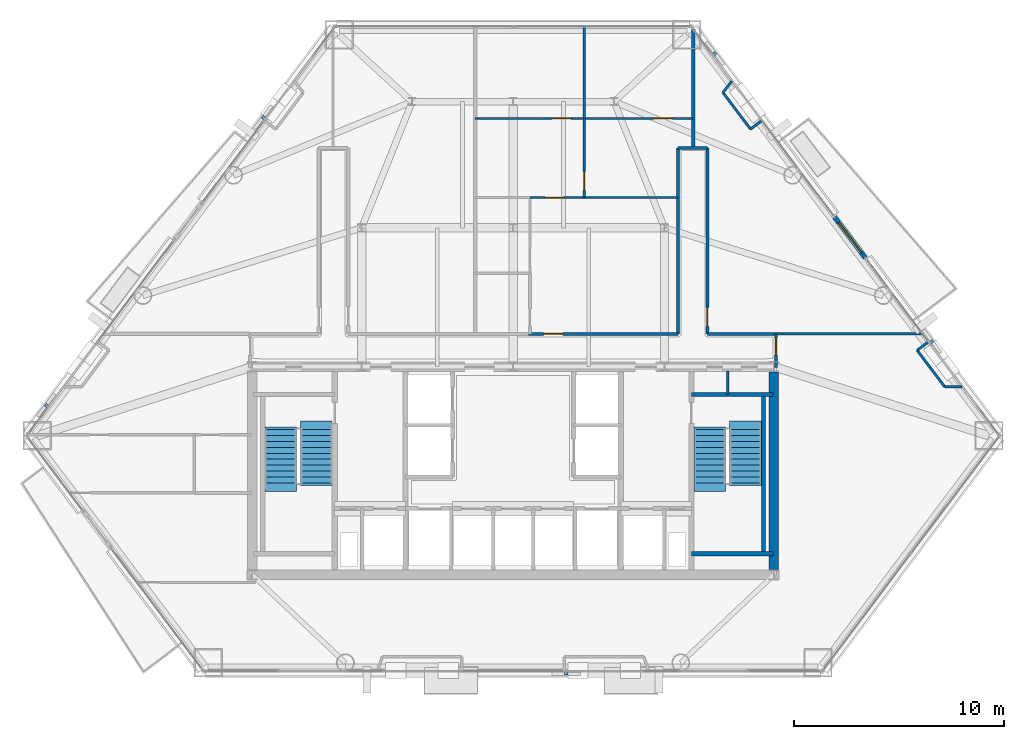
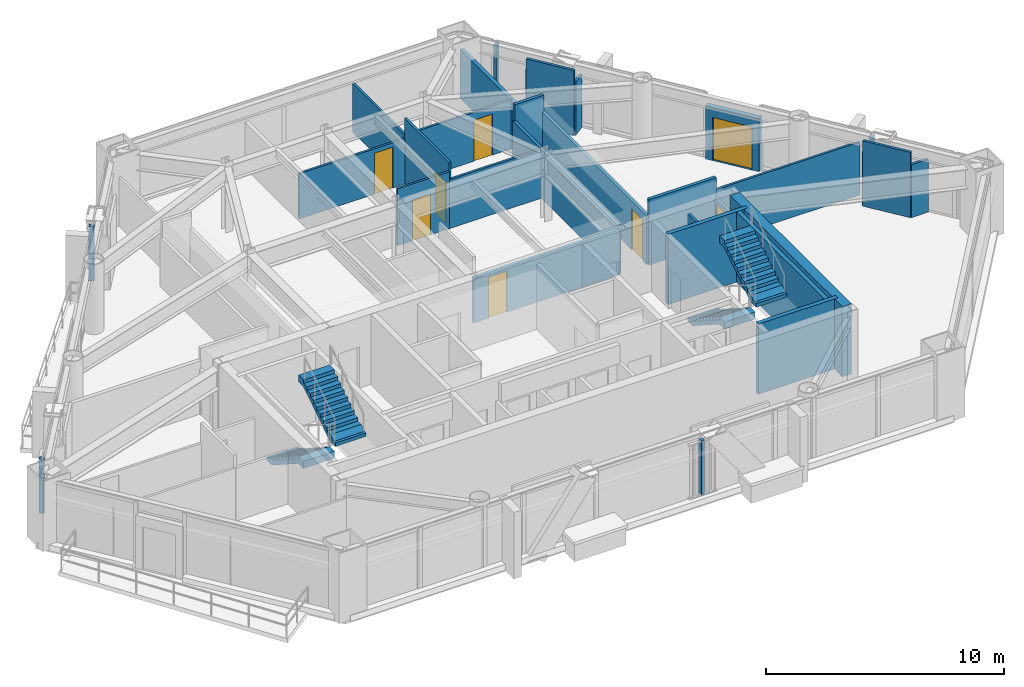
# One storey, part 8 of 10: 26 walls, 8 doors, 5 discrete accessories, 4 stair flights, 8 openings, 2 elements without a shape of their own.
"""IFC4 building model written with IfcOpenShell, lengths in metres."""

from ifc_helpers import new_model, si_unit, direction, frame, frame_2d, origin, origin_2d, place, context, subcontext, project, spatial, polyline, rectangle, outline, extrude, source, transform, mapped, material, layer, layer_set, type_object, type_shapes, element, fill, aggregate, save


model = new_model("IFC4")

# Units and contexts
model_context = context("Model", 3, precision=1e-05, world=origin(), true_north=direction((0.0, 1.0)))
body_context = subcontext(model_context, "Body", "Model", "MODEL_VIEW")
ifc_project = project(units=[si_unit("LENGTHUNIT", "METRE"), si_unit("AREAUNIT", "SQUARE_METRE"), si_unit("VOLUMEUNIT", "CUBIC_METRE"), si_unit("PLANEANGLEUNIT", "RADIAN"), si_unit("MASSUNIT", "GRAM", prefix="KILO")], contexts=[model_context])

# Site, building, storey
site_placement = place(None, origin())
site = spatial("IfcSite", under=ifc_project, at=site_placement, CompositionType="ELEMENT")
building_placement = place(site_placement, origin())
building = spatial("IfcBuilding", under=site, at=building_placement, Name="Talgorran Terracotta Tower", CompositionType="ELEMENT")
storey_placement = place(building_placement, frame((0.0, 0.0, 31.5)))
storey = spatial("IfcBuildingStorey", under=building, at=storey_placement, Name="L07", CompositionType="ELEMENT", Elevation=31.5)

# Wall, opening, door
ifc_material_1 = material(Name="Concrete C40/50", Category="concrete")
ifc_layer_1 = layer(ifc_material_1, 0.239990234375, Name="WT_BALCONY_SPAND")
ifc_layer_set_1 = layer_set([ifc_layer_1], Name="Concrete C40/50")
wall_type_1 = type_object("IfcWallType", Name="WT_BALCONY_SPAND", PredefinedType="STANDARD", material=ifc_layer_set_1)
wall_1_placement = place(storey_placement, frame((16.753173828125, 0.968505859375, -0.014892578125), z_axis=(0.0, 0.0, 1.0), x_axis=(-0.601871511513, 0.798592939882, 0.0)))
wall_1 = element("IfcWall", 1, at=wall_1_placement, inside=storey, type_object=wall_type_1, Name="WL-L07-BALP-BAL-NE", PredefinedType="STANDARD", context=body_context, shape_type="SweptSolid", body=[
    extrude(rectangle(XDim=2.43994140625, YDim=0.239990234375, at=frame_2d((1.219970703125, 0.0))), origin(), (0.0, 0.0, 1.0), 2.728271484375),
])
opening_1_placement = place(wall_1_placement, frame((0.320068359375, 0.0, 0.014892578125)))
opening_1 = element("IfcOpeningElement", 2, at=opening_1_placement, cuts=wall_1, Name="Opening D-BAL-L07-1", PredefinedType="OPENING", context=body_context, shape_type="SweptSolid", body=[
    extrude(rectangle(XDim=1.806048828125, YDim=2.203951171875, at=frame_2d((0.89990234375, 1.10205078125))), frame((0.0, 0.1298828125, 0.0), z_axis=(0.0, -1.0, 0.0), x_axis=(1.0, 0.0, 0.0)), (0.0, 0.0, 1.0), 0.260009765625),
])
ifc_material_2 = material(Name="Thermally Broken Aluminium", Category="aluminium")
door_type_1 = type_object("IfcDoorType", Name="DT_BALC_1800", OperationType="SLIDING_TO_LEFT", PredefinedType="DOOR", material=ifc_material_2)
door_1_placement = place(opening_1_placement, origin())
door_1 = element("IfcDoor", 3, at=door_1_placement, inside=storey, type_object=door_type_1, Name="DR-L07-BAL-BAL-NE", OperationType="SLIDING_TO_LEFT", OverallHeight=2.199951171875, OverallWidth=1.800048828125, PredefinedType="DOOR", context=body_context, shape_type="SweptSolid", body=[
    extrude(rectangle(XDim=1.800048828125, YDim=2.199951171875, at=frame_2d((0.89990234375, 1.10009765625))), frame((0.0, 0.02490234375, 0.0), z_axis=(0.0, -1.0, 0.0), x_axis=(1.0, 0.0, 0.0)), (0.0, 0.0, 1.0), 0.050048828125),
])
fill(opening_1, door_1)

# Walls
ifc_material_3 = material(Name="Concrete C50/60", Category="concrete")
ifc_layer_2 = layer(ifc_material_3, 0.199951171875, Name="WT_CORE_200")
ifc_layer_set_2 = layer_set([ifc_layer_2], Name="Concrete C50/60")
wall_type_2 = type_object("IfcWallType", Name="WT_CORE_200", PredefinedType="SOLIDWALL", material=ifc_layer_set_2)
for number, where, z_axis, x_axis, name in (
    (4, (8.47998046875, -5.52001953125, 0.0), (0.0, 0.0, 1.0), (1.0, 0.0, 0.0), "WL-L07-CW-ST2-N"),
    (5, (8.47998046875, -13.10009765625, 0.0), (0.0, 0.0, 1.0), (1.0, 0.0, 0.0), "WL-L07-CW-ST2-S"),
):
    element("IfcWall", number, at=place(storey_placement, frame(where, z_axis=z_axis, x_axis=x_axis)), inside=storey, type_object=wall_type_2, Name=name, PredefinedType="SOLIDWALL", context=body_context, shape_type="SweptSolid", body=[
        extrude(rectangle(XDim=3.8701171875, YDim=0.199951171875, at=frame_2d((1.93505859375, 0.0))), origin(), (0.0, 0.0, 1.0), 3.60009765625),
    ])
wall_2_placement = place(storey_placement, frame((11.89990234375, -13.10009765625, 0.0), z_axis=(0.0, 0.0, 1.0), x_axis=(0.0, 1.0, 0.0)))
element("IfcWall", 6, at=wall_2_placement, inside=storey, type_object=wall_type_2, Name="WL-L07-CW-ST2-E", PredefinedType="SOLIDWALL", context=body_context, shape_type="SweptSolid", body=[
    extrude(rectangle(XDim=7.580078125, YDim=0.199951171875, at=frame_2d((3.7900390625, 0.0))), origin(), (0.0, 0.0, 1.0), 3.60009765625),
])
ifc_material_4 = material(Name="Concrete C65/80", Category="concrete")
ifc_layer_3 = layer(ifc_material_4, 0.449951171875, Name="WT_CORE_EXT")
ifc_layer_set_3 = layer_set([ifc_layer_3], Name="Concrete C65/80")
wall_type_3 = type_object("IfcWallType", Name="WT_CORE_EXT", PredefinedType="SHEAR", material=ifc_layer_set_3)
wall_3_placement = place(storey_placement, frame((12.39990234375, -13.85009765625, 0.0), z_axis=(0.0, 0.0, 1.0), x_axis=(0.0, 1.0, 0.0)))
element("IfcWall", 7, at=wall_3_placement, inside=storey, type_object=wall_type_3, Name="WL-L07-CW-OUT-E", PredefinedType="SHEAR", context=body_context, shape_type="SweptSolid", body=[
    extrude(rectangle(XDim=9.400146484375, YDim=0.449951171875, at=frame_2d((4.7001953125, 0.0))), origin(), (0.0, 0.0, 1.0), 3.60009765625),
])

# Wall, opening, door
ifc_material_5 = material(Name="Fire-Rated Steel Stud Plasterboard", Category="steel")
ifc_layer_4 = layer(ifc_material_5, 0.14990234375, Name="WT_FIRE_150")
ifc_layer_set_4 = layer_set([ifc_layer_4], Name="Fire-Rated Steel Stud Plasterboard")
wall_type_4 = type_object("IfcWallType", Name="WT_FIRE_150", PredefinedType="PARTITIONING", material=ifc_layer_set_4)
wall_4_placement = place(storey_placement, frame((9.239990234375, -2.639892578125, 0.0), z_axis=(0.0, 0.0, 1.0), x_axis=(0.0, 1.0, 0.0)))
wall_4 = element("IfcWall", 8, at=wall_4_placement, inside=storey, type_object=wall_type_4, Name="WL-L07-W-L07-R15", PredefinedType="PARTITIONING", context=body_context, shape_type="SweptSolid", body=[
    extrude(rectangle(XDim=8.83984375, YDim=0.14990234375, at=frame_2d((4.419921875, 0.0))), origin(), (0.0, 0.0, 1.0), 2.509033203125),
])
opening_2_placement = place(wall_4_placement, frame((0.359375, 0.0, 0.0)))
opening_2 = element("IfcOpeningElement", 9, at=opening_2_placement, cuts=wall_4, Name="Opening DR-L07-R15", PredefinedType="OPENING", context=body_context, shape_type="SweptSolid", body=[
    extrude(rectangle(XDim=0.90590234375, YDim=2.10409765625, at=frame_2d((0.449951171875, 1.052001953125))), frame((0.0, 0.0849609375, 0.0), z_axis=(0.0, -1.0, 0.0), x_axis=(1.0, 0.0, 0.0)), (0.0, 0.0, 1.0), 0.169921875),
])
ifc_material_6 = material(Name="Fire-Rated Timber Core", Category="wood")
door_type_2 = type_object("IfcDoorType", Name="DT_FIRE_900", OperationType="NOTDEFINED", PredefinedType="DOOR", material=ifc_material_6)
door_2_placement = place(opening_2_placement, origin())
door_2 = element("IfcDoor", 10, at=door_2_placement, inside=storey, type_object=door_type_2, Name="DR-L07-R15", OperationType="SINGLE_SWING_LEFT", OverallHeight=2.10009765625, OverallWidth=0.89990234375, PredefinedType="DOOR", context=body_context, shape_type="SweptSolid", body=[
    extrude(rectangle(XDim=0.89990234375, YDim=2.10009765625, at=frame_2d((0.449951171875, 1.050048828125))), frame((0.0, 0.02490234375, 0.0), z_axis=(0.0, -1.0, 0.0), x_axis=(1.0, 0.0, 0.0)), (0.0, 0.0, 1.0), 0.050048828125),
])
fill(opening_2, door_2)

wall_5_placement = place(storey_placement, frame((0.739990234375, -2.639892578125, 0.0), z_axis=(0.0, 0.0, 1.0), x_axis=(1.0, 0.0, 0.0)))
wall_5 = element("IfcWall", 11, at=wall_5_placement, inside=storey, type_object=wall_type_4, Name="WL-L07-W-L07-R10", PredefinedType="PARTITIONING", context=body_context, shape_type="SweptSolid", body=[
    extrude(rectangle(XDim=7.10009765625, YDim=0.14990234375, at=frame_2d((3.550048828125, 0.0))), origin(), (0.0, 0.0, 1.0), 2.324951171875),
])
opening_3_placement = place(wall_5_placement, frame((0.719970703125, 0.0, 0.0)))
opening_3 = element("IfcOpeningElement", 12, at=opening_3_placement, cuts=wall_5, Name="Opening DR-L07-R10", PredefinedType="OPENING", context=body_context, shape_type="SweptSolid", body=[
    extrude(rectangle(XDim=0.90590234375, YDim=2.10409765625, at=frame_2d((0.449951171875, 1.052001953125))), frame((0.0, 0.0849609375, 0.0), z_axis=(0.0, -1.0, 0.0), x_axis=(1.0, 0.0, 0.0)), (0.0, 0.0, 1.0), 0.169921875),
])
door_3_placement = place(opening_3_placement, origin())
door_3 = element("IfcDoor", 13, at=door_3_placement, inside=storey, type_object=door_type_2, Name="DR-L07-R10", OperationType="SINGLE_SWING_RIGHT", OverallHeight=2.10009765625, OverallWidth=0.89990234375, PredefinedType="DOOR", context=body_context, shape_type="SweptSolid", body=[
    extrude(rectangle(XDim=0.89990234375, YDim=2.10009765625, at=frame_2d((0.449951171875, 1.050048828125))), frame((0.0, 0.02490234375, 0.0), z_axis=(0.0, -1.0, 0.0), x_axis=(1.0, 0.0, 0.0)), (0.0, 0.0, 1.0), 0.050048828125),
])
fill(opening_3, door_3)

# Walls
wall_6_placement = place(storey_placement, frame((7.840087890625, -2.639892578125, 0.0), z_axis=(0.0, 0.0, 1.0), x_axis=(0.0, 1.0, 0.0)))
element("IfcWall", 14, at=wall_6_placement, inside=storey, type_object=wall_type_4, Name="WL-L07-W-L07-R11", PredefinedType="PARTITIONING", context=body_context, shape_type="SweptSolid", body=[
    extrude(rectangle(XDim=8.83984375, YDim=0.14990234375, at=frame_2d((4.419921875, 0.0))), origin(), (0.0, 0.0, 1.0), 2.509033203125),
])
wall_7_placement = place(storey_placement, frame((9.239990234375, -2.639892578125, 0.0), z_axis=(0.0, 0.0, 1.0), x_axis=(1.0, 0.0, 0.0)))
element("IfcWall", 15, at=wall_7_placement, inside=storey, type_object=wall_type_4, Name="WL-L07-W-L07-R16", PredefinedType="PARTITIONING", context=body_context, shape_type="SweptSolid", body=[
    extrude(rectangle(XDim=3.260009765625, YDim=0.14990234375, at=frame_2d((1.6298828125, 0.0))), origin(), (0.0, 0.0, 1.0), 3.35009765625),
])

# Wall, opening, door
wall_8_placement = place(storey_placement, frame((12.5, -4.239990234375, 0.0), z_axis=(0.0, 0.0, 1.0), x_axis=(0.0, 1.0, 0.0)))
wall_8 = element("IfcWall", 16, at=wall_8_placement, inside=storey, type_object=wall_type_4, Name="WL-L07-W-L07-R02", PredefinedType="PARTITIONING", context=body_context, shape_type="SweptSolid", body=[
    extrude(rectangle(XDim=1.60009765625, YDim=0.14990234375, at=frame_2d((0.800048828125, 0.0))), origin(), (0.0, 0.0, 1.0), 2.324951171875),
])
opening_4_placement = place(wall_8_placement, frame((0.602294921875, 0.0, 0.0)))
opening_4 = element("IfcOpeningElement", 17, at=opening_4_placement, cuts=wall_8, Name="Opening DR-L07-R05", PredefinedType="OPENING", context=body_context, shape_type="SweptSolid", body=[
    extrude(rectangle(XDim=0.826068359375, YDim=2.10409765625, at=frame_2d((0.41015625, 1.052001953125))), frame((0.0, 0.0849609375, 0.0), z_axis=(0.0, -1.0, 0.0), x_axis=(1.0, 0.0, 0.0)), (0.0, 0.0, 1.0), 0.169921875),
])
ifc_material_7 = material(Name="Moisture-Resistant Solid Timber", Category="wood")
door_type_3 = type_object("IfcDoorType", Name="DT_INT_820", OperationType="NOTDEFINED", PredefinedType="DOOR", material=ifc_material_7)
door_4_placement = place(opening_4_placement, origin())
door_4 = element("IfcDoor", 18, at=door_4_placement, inside=storey, type_object=door_type_3, Name="DR-L07-R05", OperationType="SINGLE_SWING_LEFT", OverallHeight=2.10009765625, OverallWidth=0.820068359375, PredefinedType="DOOR", context=body_context, shape_type="SweptSolid", body=[
    extrude(rectangle(XDim=0.820068359375, YDim=2.10009765625, at=frame_2d((0.41015625, 1.050048828125))), frame((0.0, 0.02490234375, 0.0), z_axis=(0.0, -1.0, 0.0), x_axis=(1.0, 0.0, 0.0)), (0.0, 0.0, 1.0), 0.050048828125),
])
fill(opening_4, door_4)

# Walls
wall_9_placement = place(storey_placement, frame((7.840087890625, 6.199951171875, 0.0), z_axis=(0.0, 0.0, 1.0), x_axis=(1.0, 0.0, 0.0)))
element("IfcWall", 19, at=wall_9_placement, inside=storey, type_object=wall_type_4, Name="WL-L07-W-L07-R13", PredefinedType="PARTITIONING", context=body_context, shape_type="SweptSolid", body=[
    extrude(rectangle(XDim=1.39990234375, YDim=0.14990234375, at=frame_2d((0.699951171875, 0.0))), origin(), (0.0, 0.0, 1.0), 3.35009765625),
])
ifc_material_8 = material(Name="Acoustic Stud and Plasterboard")
ifc_layer_5 = layer(ifc_material_8, 0.179931640625, Name="WT_PARTY_200")
ifc_layer_set_5 = layer_set([ifc_layer_5], Name="Acoustic Stud and Plasterboard")
wall_type_5 = type_object("IfcWallType", Name="WT_PARTY_200", PredefinedType="PARTITIONING", material=ifc_layer_set_5)
wall_10_placement = place(storey_placement, frame((8.56005859375, 6.199951171875, 0.0), z_axis=(0.0, 0.0, 1.0), x_axis=(0.0, 1.0, 0.0)))
element("IfcWall", 20, at=wall_10_placement, inside=storey, type_object=wall_type_5, Name="WL-L07-W-L07-R41", PredefinedType="PARTITIONING", context=body_context, shape_type="SweptSolid", body=[
    extrude(rectangle(XDim=5.64111328125, YDim=0.179931640625, at=frame_2d((2.820556640625, 0.0))), origin(), (0.0, 0.0, 1.0), 2.509033203125),
])
ifc_material_9 = material(Name="Lightweight Steel Stud Partition", Category="steel")
ifc_layer_6 = layer(ifc_material_9, 0.10498046875, Name="WT_PART_110")
ifc_layer_set_6 = layer_set([ifc_layer_6], Name="Lightweight Steel Stud Partition")
wall_type_6 = type_object("IfcWallType", Name="WT_PART_110", PredefinedType="PARTITIONING", material=ifc_layer_set_6)
wall_11_placement = place(storey_placement, frame((12.5, -2.639892578125, 0.0), z_axis=(0.0, 0.0, 1.0), x_axis=(1.0, 0.0, 0.0)))
element("IfcWall", 21, at=wall_11_placement, inside=storey, type_object=wall_type_6, Name="WL-L07-W-L07-R24", PredefinedType="PARTITIONING", context=body_context, shape_type="SweptSolid", body=[
    extrude(rectangle(XDim=6.972412109375, YDim=0.10498046875, at=frame_2d((3.486328125, 0.0))), origin(), (0.0, 0.0, 1.0), 2.71337890625),
])

# Wall, opening, door
wall_12_placement = place(storey_placement, frame((3.3798828125, 7.60009765625, 0.0), z_axis=(0.0, 0.0, 1.0), x_axis=(1.0, 0.0, 0.0)))
wall_12 = element("IfcWall", 22, at=wall_12_placement, inside=storey, type_object=wall_type_6, Name="WL-L07-W-L07-R39", PredefinedType="PARTITIONING", context=body_context, shape_type="SweptSolid", body=[
    extrude(rectangle(XDim=5.18017578125, YDim=0.10498046875, at=frame_2d((2.590087890625, 0.0))), origin(), (0.0, 0.0, 1.0), 2.509033203125),
])
opening_5_placement = place(wall_12_placement, frame((3.30419921875, 0.0, 0.0)))
opening_5 = element("IfcOpeningElement", 23, at=opening_5_placement, cuts=wall_12, Name="Opening DR-L07-R14", PredefinedType="OPENING", context=body_context, shape_type="SweptSolid", body=[
    extrude(rectangle(XDim=0.8858828125, YDim=2.10409765625, at=frame_2d((0.43994140625, 1.052001953125))), frame((0.0, 0.0625, 0.0), z_axis=(0.0, -1.0, 0.0), x_axis=(1.0, 0.0, 0.0)), (0.0, 0.0, 1.0), 0.125),
])
ifc_material_10 = material(Name="Solid-Core Painted Timber", Category="wood")
door_type_4 = type_object("IfcDoorType", Name="DT_INT_880", OperationType="NOTDEFINED", PredefinedType="DOOR", material=ifc_material_10)
door_5_placement = place(opening_5_placement, origin())
door_5 = element("IfcDoor", 24, at=door_5_placement, inside=storey, type_object=door_type_4, Name="DR-L07-R14", OperationType="SINGLE_SWING_RIGHT", OverallHeight=2.10009765625, OverallWidth=0.8798828125, PredefinedType="DOOR", context=body_context, shape_type="SweptSolid", body=[
    extrude(rectangle(XDim=0.8798828125, YDim=2.10009765625, at=frame_2d((0.43994140625, 1.050048828125))), frame((0.0, 0.02490234375, 0.0), z_axis=(0.0, -1.0, 0.0), x_axis=(1.0, 0.0, 0.0)), (0.0, 0.0, 1.0), 0.050048828125),
])
fill(opening_5, door_5)

wall_13_placement = place(storey_placement, frame((-1.800048828125, 7.60009765625, 0.0), z_axis=(0.0, 0.0, 1.0), x_axis=(1.0, 0.0, 0.0)))
wall_13 = element("IfcWall", 25, at=wall_13_placement, inside=storey, type_object=wall_type_6, Name="WL-L07-W-L07-R36", PredefinedType="PARTITIONING", context=body_context, shape_type="SweptSolid", body=[
    extrude(rectangle(XDim=5.179931640625, YDim=0.10498046875, at=frame_2d((2.58984375, 0.0))), origin(), (0.0, 0.0, 1.0), 2.324951171875),
])
opening_6_placement = place(wall_13_placement, frame((3.66259765625, 0.0, 0.0)))
opening_6 = element("IfcOpeningElement", 26, at=opening_6_placement, cuts=wall_13, Name="Opening DR-L07-R12", PredefinedType="OPENING", context=body_context, shape_type="SweptSolid", body=[
    extrude(rectangle(XDim=0.8858828125, YDim=2.10409765625, at=frame_2d((0.43994140625, 1.052001953125))), frame((0.0, 0.0625, 0.0), z_axis=(0.0, -1.0, 0.0), x_axis=(1.0, 0.0, 0.0)), (0.0, 0.0, 1.0), 0.125),
])
door_6_placement = place(opening_6_placement, origin())
door_6 = element("IfcDoor", 27, at=door_6_placement, inside=storey, type_object=door_type_4, Name="DR-L07-R12", OperationType="SINGLE_SWING_RIGHT", OverallHeight=2.10009765625, OverallWidth=0.8798828125, PredefinedType="DOOR", context=body_context, shape_type="SweptSolid", body=[
    extrude(rectangle(XDim=0.8798828125, YDim=2.10009765625, at=frame_2d((0.43994140625, 1.050048828125))), frame((0.0, 0.02490234375, 0.0), z_axis=(0.0, -1.0, 0.0), x_axis=(1.0, 0.0, 0.0)), (0.0, 0.0, 1.0), 0.050048828125),
])
fill(opening_6, door_6)

# Walls
wall_14_placement = place(storey_placement, frame((3.320068359375, 3.840087890625, 0.0), z_axis=(0.0, 0.0, 1.0), x_axis=(1.0, 0.0, 0.0)))
element("IfcWall", 28, at=wall_14_placement, inside=storey, type_object=wall_type_6, Name="WL-L07-W-L07-R35", PredefinedType="PARTITIONING", context=body_context, shape_type="SweptSolid", body=[
    extrude(rectangle(XDim=4.52001953125, YDim=0.10498046875, at=frame_2d((2.260009765625, 0.0))), origin(), (0.0, 0.0, 1.0), 2.509033203125),
])
wall_15_placement = place(storey_placement, frame((3.3798828125, 7.60009765625, 0.0), z_axis=(0.0, 0.0, 1.0), x_axis=(0.0, 1.0, 0.0)))
element("IfcWall", 29, at=wall_15_placement, inside=storey, type_object=wall_type_6, Name="WL-L07-W-L07-R38", PredefinedType="PARTITIONING", context=body_context, shape_type="SweptSolid", body=[
    extrude(rectangle(XDim=4.370361328125, YDim=0.10498046875, at=frame_2d((2.18505859375, 0.0))), origin(), (0.0, 0.0, 1.0), 2.509033203125),
])

# Wall, opening, door
wall_16_placement = place(storey_placement, frame((3.3798828125, 3.840087890625, 0.0), z_axis=(0.0, 0.0, 1.0), x_axis=(0.0, 1.0, 0.0)))
wall_16 = element("IfcWall", 30, at=wall_16_placement, inside=storey, type_object=wall_type_6, Name="WL-L07-W-L07-R37", PredefinedType="PARTITIONING", context=body_context, shape_type="SweptSolid", body=[
    extrude(rectangle(XDim=3.760009765625, YDim=0.10498046875, at=frame_2d((1.8798828125, 0.0))), origin(), (0.0, 0.0, 1.0), 3.35009765625),
])
opening_7_placement = place(wall_16_placement, frame((0.360107421875, 0.0, 0.0)))
opening_7 = element("IfcOpeningElement", 31, at=opening_7_placement, cuts=wall_16, Name="Opening DR-L07-R13", PredefinedType="OPENING", context=body_context, shape_type="SweptSolid", body=[
    extrude(rectangle(XDim=0.8858828125, YDim=2.10409765625, at=frame_2d((0.43994140625, 1.052001953125))), frame((0.0, 0.0625, 0.0), z_axis=(0.0, -1.0, 0.0), x_axis=(1.0, 0.0, 0.0)), (0.0, 0.0, 1.0), 0.125),
])
door_7_placement = place(opening_7_placement, origin())
door_7 = element("IfcDoor", 32, at=door_7_placement, inside=storey, type_object=door_type_4, Name="DR-L07-R13", OperationType="SINGLE_SWING_LEFT", OverallHeight=2.10009765625, OverallWidth=0.8798828125, PredefinedType="DOOR", context=body_context, shape_type="SweptSolid", body=[
    extrude(rectangle(XDim=0.8798828125, YDim=2.10009765625, at=frame_2d((0.43994140625, 1.050048828125))), frame((0.0, 0.02490234375, 0.0), z_axis=(0.0, -1.0, 0.0), x_axis=(1.0, 0.0, 0.0)), (0.0, 0.0, 1.0), 0.050048828125),
])
fill(opening_7, door_7)

wall_17_placement = place(storey_placement, frame((0.800048828125, 3.840087890625, 0.0), z_axis=(0.0, 0.0, 1.0), x_axis=(1.0, 0.0, 0.0)))
wall_17 = element("IfcWall", 33, at=wall_17_placement, inside=storey, type_object=wall_type_6, Name="WL-L07-W-L07-R34", PredefinedType="PARTITIONING", context=body_context, shape_type="SweptSolid", body=[
    extrude(rectangle(XDim=2.51806640625, YDim=0.10498046875, at=frame_2d((1.259033203125, 0.0))), origin(), (0.0, 0.0, 1.0), 2.918701171875),
])
opening_8_placement = place(wall_17_placement, frame((0.719970703125, 0.0, 0.0)))
opening_8 = element("IfcOpeningElement", 34, at=opening_8_placement, cuts=wall_17, Name="Opening DR-L07-R11", PredefinedType="OPENING", context=body_context, shape_type="SweptSolid", body=[
    extrude(rectangle(XDim=0.8858828125, YDim=2.10409765625, at=frame_2d((0.43994140625, 1.052001953125))), frame((0.0, 0.0625, 0.0), z_axis=(0.0, -1.0, 0.0), x_axis=(1.0, 0.0, 0.0)), (0.0, 0.0, 1.0), 0.125),
])
door_8_placement = place(opening_8_placement, origin())
door_8 = element("IfcDoor", 35, at=door_8_placement, inside=storey, type_object=door_type_4, Name="DR-L07-R11", OperationType="SINGLE_SWING_LEFT", OverallHeight=2.10009765625, OverallWidth=0.8798828125, PredefinedType="DOOR", context=body_context, shape_type="SweptSolid", body=[
    extrude(rectangle(XDim=0.8798828125, YDim=2.10009765625, at=frame_2d((0.43994140625, 1.050048828125))), frame((0.0, 0.02490234375, 0.0), z_axis=(0.0, -1.0, 0.0), x_axis=(1.0, 0.0, 0.0)), (0.0, 0.0, 1.0), 0.050048828125),
])
fill(opening_8, door_8)

# Walls
ifc_material_11 = material(Name="Insulated Steel Stud Plasterboard", Category="steel")
ifc_layer_7 = layer(ifc_material_11, 0.1201171875, Name="WT_PART_120")
ifc_layer_set_7 = layer_set([ifc_layer_7], Name="Insulated Steel Stud Plasterboard")
wall_type_7 = type_object("IfcWallType", Name="WT_PART_120", PredefinedType="PARTITIONING", material=ifc_layer_set_7)
wall_18_placement = place(storey_placement, frame((10.199951171875, -5.52001953125, 0.0), z_axis=(0.0, 0.0, 1.0), x_axis=(0.0, 1.0, 0.0)))
element("IfcWall", 36, at=wall_18_placement, inside=storey, type_object=wall_type_7, Name="WL-L07-CW-CSE-DIV", PredefinedType="PARTITIONING", context=body_context, shape_type="SweptSolid", body=[
    extrude(rectangle(XDim=1.1201171875, YDim=0.1201171875, at=frame_2d((0.56005859375, 0.0))), origin(), (0.0, 0.0, 1.0), 3.35009765625),
])
for number, where, z_axis, x_axis, name in (
    (37, (11.287353515625, 7.091796875, 0.0), (0.0, 0.0, 1.0), (-0.601826426809, 0.798626916648, 0.0), "WL-L07-BW-L07-17"),
    (38, (20.52197265625, -5.162841796875, 0.0), (0.0, 0.0, 1.0), (-0.601826426809, 0.798626916648, 0.0), "WL-L07-BW-L07-12"),
):
    element("IfcWall", number, at=place(storey_placement, frame(where, z_axis=z_axis, x_axis=x_axis)), inside=storey, type_object=wall_type_7, Name=name, PredefinedType="PARTITIONING", context=body_context, shape_type="SweptSolid", body=[
        extrude(rectangle(XDim=2.1796875, YDim=0.1201171875, at=frame_2d((1.08984375, 0.0))), origin(), (0.0, 0.0, 1.0), 3.35009765625),
    ])
wall_19_placement = place(storey_placement, frame((21.347900390625, -5.145751953125, 0.0), z_axis=(0.0, 0.0, 1.0), x_axis=(-0.999785995621, -0.02068726565, 0.0)))
element("IfcWall", 39, at=wall_19_placement, inside=storey, type_object=wall_type_7, Name="WL-L07-BW-L07-11", PredefinedType="PARTITIONING", context=body_context, shape_type="SweptSolid", body=[
    extrude(rectangle(XDim=0.826171875, YDim=0.1201171875, at=frame_2d((0.4130859375, 0.0))), origin(), (0.0, 0.0, 1.0), 2.71337890625),
])
wall_20_placement = place(storey_placement, frame((9.9755859375, 8.83251953125, 0.0), z_axis=(0.0, 0.0, 1.0), x_axis=(0.618661415425, 0.785657720044, 0.0)))
element("IfcWall", 40, at=wall_20_placement, inside=storey, type_object=wall_type_7, Name="WL-L07-BW-L07-18", PredefinedType="PARTITIONING", context=body_context, shape_type="SweptSolid", body=[
    extrude(rectangle(XDim=0.69287109375, YDim=0.1201171875, at=frame_2d((0.346435546875, 0.0))), origin(), (0.0, 0.0, 1.0), 2.71337890625),
])
wall_21_placement = place(storey_placement, frame((11.822509765625, 7.494873046875, 0.0), z_axis=(0.0, 0.0, 1.0), x_axis=(-0.798773936271, -0.601631281379, 0.0)))
element("IfcWall", 41, at=wall_21_placement, inside=storey, type_object=wall_type_7, Name="WL-L07-BW-L07-16", PredefinedType="PARTITIONING", context=body_context, shape_type="SweptSolid", body=[
    extrude(rectangle(XDim=0.669921875, YDim=0.1201171875, at=frame_2d((0.3349609375, 0.0))), origin(), (0.0, 0.0, 1.0), 2.71337890625),
])
wall_22_placement = place(storey_placement, frame((19.210205078125, -3.422119140625, 0.0), z_axis=(0.0, 0.0, 1.0), x_axis=(0.798598820081, 0.601863709294, 0.0)))
element("IfcWall", 42, at=wall_22_placement, inside=storey, type_object=wall_type_7, Name="WL-L07-BW-L07-10", PredefinedType="PARTITIONING", context=body_context, shape_type="SweptSolid", body=[
    extrude(rectangle(XDim=0.670166015625, YDim=0.1201171875, at=frame_2d((0.3349609375, 0.0))), origin(), (0.0, 0.0, 1.0), 2.71337890625),
])

# Stair, stair flights
stair_type = type_object("IfcStairType", Name="ST_FIRE_SCISSOR", PredefinedType="HALF_TURN_STAIR", material=ifc_material_1)
stair_1_placement = place(storey_placement, origin())
stair_1 = element("IfcStair", 43, at=stair_1_placement, inside=storey, type_object=stair_type, Name="L07 West Protected Fire Stair ST-01", PredefinedType="HALF_TURN_STAIR")
ifc_layer_8 = layer(ifc_material_1, 0.179931640625, Name="STF_RC_1500")
ifc_layer_set_8 = layer_set([ifc_layer_8], Name="Concrete C40/50")
stair_flight_type = type_object("IfcStairFlightType", Name="STF_RC_1500", PredefinedType="STRAIGHT", material=ifc_layer_set_8)
stair_flight_1_placement = place(storey_placement, frame((-11.050048828125, -7.199951171875, 0.0), z_axis=(0.0, 0.0, 1.0), x_axis=(0.0, -1.0, 0.0)))
stair_flight_1 = element("IfcStairFlight", 44, at=stair_flight_1_placement, type_object=stair_flight_type, Name="ST-01 flight 1", NumberOfRisers=10, NumberOfTreads=9, PredefinedType="STRAIGHT", RiserHeight=0.18, TreadLength=0.28, context=body_context, shape_type="SweptSolid", body=[
    extrude(outline(polyline([(-0.139892578125, 0.0), (-0.139892578125, 0.179931640625), (0.0, 0.179931640625), (0.280029296875, 0.360107421875), (0.56005859375, 0.360107421875), (0.56005859375, 0.5400390625), (0.840087890625, 0.5400390625), (0.840087890625, 0.719970703125), (1.1201171875, 0.719970703125), (1.1201171875, 0.89990234375), (1.39990234375, 0.89990234375), (1.39990234375, 1.080078125), (1.679931640625, 1.080078125), (1.679931640625, 1.260009765625), (1.9599609375, 1.260009765625), (1.9599609375, 1.43994140625), (2.239990234375, 1.43994140625), (2.239990234375, 1.6201171875), (2.52001953125, 1.6201171875), (2.52001953125, 1.800048828125), (2.93994140625, 1.800048828125), (2.93994140625, 1.44189453125), (2.52001953125, 1.44189453125), (0.277099609375, 0.0), (-0.139892578125, 0.0)])), frame((0.0, 0.75, 0.0), z_axis=(0.0, -1.0, 0.0), x_axis=(1.0, 0.0, 0.0)), (0.0, 0.0, 1.0), 1.5),
])
stair_flight_2_placement = place(storey_placement, frame((-9.35009765625, -9.719970703125, 1.800048828125), z_axis=(0.0, 0.0, 1.0), x_axis=(0.0, 1.0, 0.0)))
stair_flight_2 = element("IfcStairFlight", 45, at=stair_flight_2_placement, type_object=stair_flight_type, Name="ST-01 flight 2", NumberOfRisers=10, NumberOfTreads=9, PredefinedType="STRAIGHT", RiserHeight=0.18, TreadLength=0.28, context=body_context, shape_type="SweptSolid", body=[
    extrude(outline(polyline([(-0.139892578125, 0.0), (-0.139892578125, 0.179931640625), (0.0, 0.179931640625), (0.280029296875, 0.360107421875), (0.56005859375, 0.360107421875), (0.56005859375, 0.5400390625), (0.840087890625, 0.5400390625), (0.840087890625, 0.719970703125), (1.1201171875, 0.719970703125), (1.1201171875, 0.89990234375), (1.39990234375, 0.89990234375), (1.39990234375, 1.080078125), (1.679931640625, 1.080078125), (1.679931640625, 1.260009765625), (1.9599609375, 1.260009765625), (1.9599609375, 1.43994140625), (2.239990234375, 1.43994140625), (2.239990234375, 1.6201171875), (2.52001953125, 1.6201171875), (2.52001953125, 1.800048828125), (2.93994140625, 1.800048828125), (2.93994140625, 1.44189453125), (2.52001953125, 1.44189453125), (0.277099609375, 0.0), (-0.139892578125, 0.0)])), frame((0.0, 0.75, 0.0), z_axis=(0.0, -1.0, 0.0), x_axis=(1.0, 0.0, 0.0)), (0.0, 0.0, 1.0), 1.5),
])
aggregate(stair_1, [stair_flight_1, stair_flight_2])

stair_2_placement = place(storey_placement, origin())
stair_2 = element("IfcStair", 46, at=stair_2_placement, inside=storey, type_object=stair_type, Name="L07 East Protected Fire Stair ST-02", PredefinedType="HALF_TURN_STAIR")
stair_flight_3_placement = place(storey_placement, frame((9.35009765625, -7.199951171875, 0.0), z_axis=(0.0, 0.0, 1.0), x_axis=(0.0, -1.0, 0.0)))
stair_flight_3 = element("IfcStairFlight", 47, at=stair_flight_3_placement, type_object=stair_flight_type, Name="ST-02 flight 1", NumberOfRisers=10, NumberOfTreads=9, PredefinedType="STRAIGHT", RiserHeight=0.18, TreadLength=0.28, context=body_context, shape_type="SweptSolid", body=[
    extrude(outline(polyline([(-0.139892578125, 0.0), (-0.139892578125, 0.179931640625), (0.0, 0.179931640625), (0.280029296875, 0.360107421875), (0.56005859375, 0.360107421875), (0.56005859375, 0.5400390625), (0.840087890625, 0.5400390625), (0.840087890625, 0.719970703125), (1.1201171875, 0.719970703125), (1.1201171875, 0.89990234375), (1.39990234375, 0.89990234375), (1.39990234375, 1.080078125), (1.679931640625, 1.080078125), (1.679931640625, 1.260009765625), (1.9599609375, 1.260009765625), (1.9599609375, 1.43994140625), (2.239990234375, 1.43994140625), (2.239990234375, 1.6201171875), (2.52001953125, 1.6201171875), (2.52001953125, 1.800048828125), (2.93994140625, 1.800048828125), (2.93994140625, 1.44189453125), (2.52001953125, 1.44189453125), (0.277099609375, 0.0), (-0.139892578125, 0.0)])), frame((0.0, 0.75, 0.0), z_axis=(0.0, -1.0, 0.0), x_axis=(1.0, 0.0, 0.0)), (0.0, 0.0, 1.0), 1.5),
])
stair_flight_4_placement = place(storey_placement, frame((11.050048828125, -9.719970703125, 1.800048828125), z_axis=(0.0, 0.0, 1.0), x_axis=(0.0, 1.0, 0.0)))
stair_flight_4 = element("IfcStairFlight", 48, at=stair_flight_4_placement, type_object=stair_flight_type, Name="ST-02 flight 2", NumberOfRisers=10, NumberOfTreads=9, PredefinedType="STRAIGHT", RiserHeight=0.18, TreadLength=0.28, context=body_context, shape_type="SweptSolid", body=[
    extrude(outline(polyline([(-0.139892578125, 0.0), (-0.139892578125, 0.179931640625), (0.0, 0.179931640625), (0.280029296875, 0.360107421875), (0.56005859375, 0.360107421875), (0.56005859375, 0.5400390625), (0.840087890625, 0.5400390625), (0.840087890625, 0.719970703125), (1.1201171875, 0.719970703125), (1.1201171875, 0.89990234375), (1.39990234375, 0.89990234375), (1.39990234375, 1.080078125), (1.679931640625, 1.080078125), (1.679931640625, 1.260009765625), (1.9599609375, 1.260009765625), (1.9599609375, 1.43994140625), (2.239990234375, 1.43994140625), (2.239990234375, 1.6201171875), (2.52001953125, 1.6201171875), (2.52001953125, 1.800048828125), (2.93994140625, 1.800048828125), (2.93994140625, 1.44189453125), (2.52001953125, 1.44189453125), (0.277099609375, 0.0), (-0.139892578125, 0.0)])), frame((0.0, 0.75, 0.0), z_axis=(0.0, -1.0, 0.0), x_axis=(1.0, 0.0, 0.0)), (0.0, 0.0, 1.0), 1.5),
])
aggregate(stair_2, [stair_flight_3, stair_flight_4])

# Discrete accessories
ifc_material_12 = material(Name="Stainless Steel Grade 316", Category="steel")
ifc_layer_9 = layer(ifc_material_12, 0.080078125, Name="ACC_BAGUETTE_BRKT")
ifc_layer_set_9 = layer_set([ifc_layer_9], Name="Stainless Steel Grade 316")
discrete_accessory_type = type_object("IfcDiscreteAccessoryType", Name="ACC_BAGUETTE_BRKT", PredefinedType="BRACKET", material=ifc_layer_set_9)
shared_shape = source(origin(), body_context, "Body", "SweptSolid", [
    extrude(rectangle(XDim=0.159912109375, YDim=0.219970703125, at=origin_2d()), origin(), (0.0, 0.0, 1.0), 2.800048828125),
])
type_shapes(discrete_accessory_type, [shared_shape])
for number, where, z_axis, x_axis, name in (
    (49, (2.531494140625, -18.75, 0.35009765625), (0.0, 0.0, 1.0), (1.0, 0.0, 0.0), "BRK-L07-F1"),
    (50, (19.86474609375, -3.044677734375, 0.35009765625), (0.0, 0.0, 1.0), (-0.601801084241, 0.798646013579, 0.0), "BRK-L07-F40"),
    (51, (9.54736328125, 10.647216796875, 0.35009765625), (0.0, 0.0, 1.0), (-0.601815023152, 0.798635510047, 0.0), "BRK-L07-F41"),
    (52, (-11.830810546875, 7.616943359375, 0.35009765625), (0.0, 0.0, 1.0), (-0.601801084241, -0.798646013579, 0.0), "BRK-L07-F60"),
    (53, (-22.148193359375, -6.07470703125, 0.35009765625), (0.0, 0.0, 1.0), (-0.601815023152, -0.798635510047, 0.0), "BRK-L07-F61"),
):
    element("IfcDiscreteAccessory", number, at=place(storey_placement, frame(where, z_axis=z_axis, x_axis=x_axis)), inside=storey, type_object=discrete_accessory_type, Name=name, PredefinedType="BRACKET", context=body_context, shape_type="MappedRepresentation", body=[
        mapped(shared_shape, transform((0.0, 0.0, 0.0), scale=1.0)),
    ])

save(model, "model.ifc")
